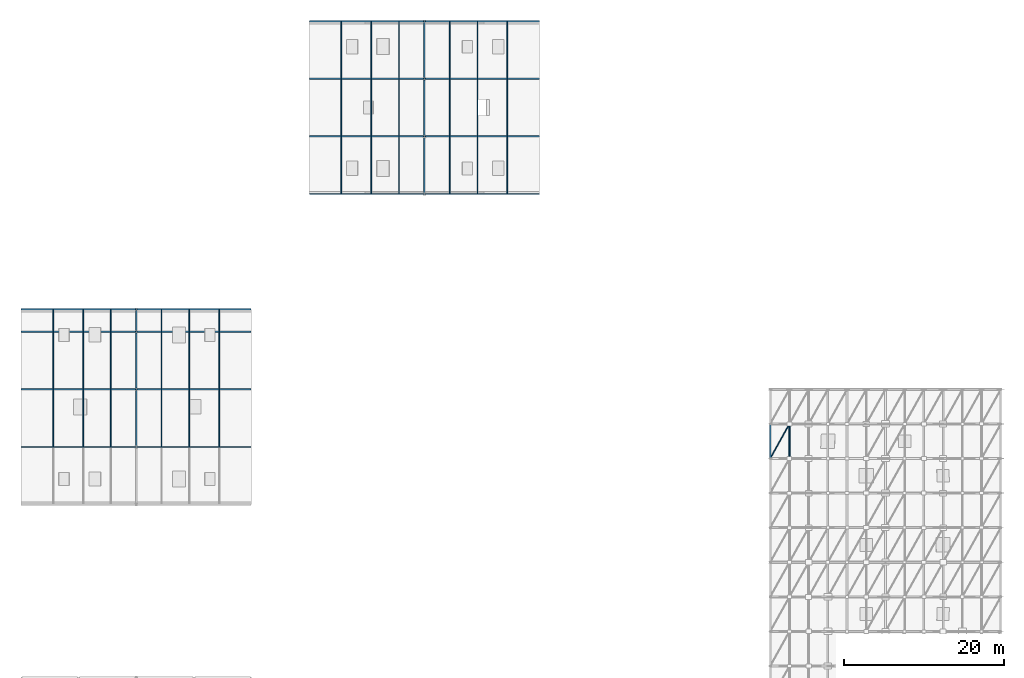
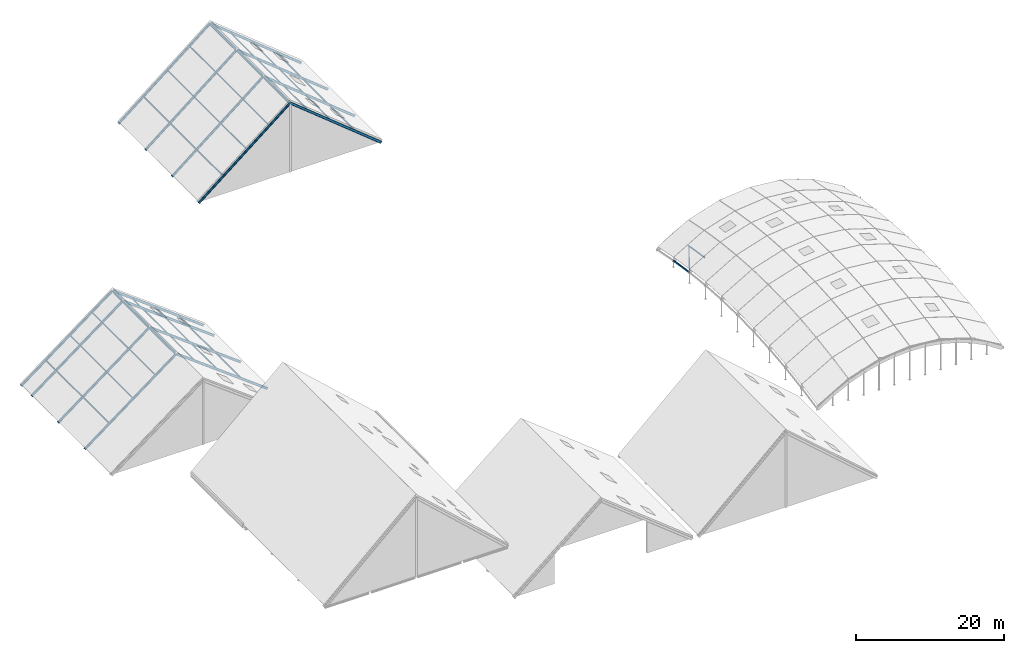
# One storey, part 17 of 35: 39 members, 22 beams.
"""IFC4 building model written with IfcOpenShell, lengths in metres."""

from ifc_helpers import new_model, si_unit, direction, frame, origin, origin_2d, place, context, subcontext, project, spatial, hollow_rectangle, hollow_circle, i_section, extrude, material, material_profile, profile_set, type_object, element, save


model = new_model("IFC4")

# Units and contexts
model_context = context("Model", 3, precision=1e-05, world=origin(), true_north=direction((0.0, 1.0)))
body_context = subcontext(model_context, "Body", "Model", "MODEL_VIEW")
ifc_project = project(units=[si_unit("LENGTHUNIT", "METRE"), si_unit("AREAUNIT", "SQUARE_METRE"), si_unit("VOLUMEUNIT", "CUBIC_METRE"), si_unit("PLANEANGLEUNIT", "RADIAN"), si_unit("MASSUNIT", "GRAM", prefix="KILO")], contexts=[model_context])

# Site, building, storey
site_placement = place(None, origin())
site = spatial("IfcSite", under=ifc_project, at=site_placement, CompositionType="ELEMENT")
building_placement = place(site_placement, origin())
building = spatial("IfcBuilding", under=site, at=building_placement, Name="Zarrinpeak Specialist Clinic", CompositionType="ELEMENT")
storey_placement = place(building_placement, frame((0.0, 0.0, 31.60009765625)))
storey = spatial("IfcBuildingStorey", under=building, at=storey_placement, Name="RF", CompositionType="ELEMENT", Elevation=31.60009765625)

# Beams
ifc_material = material(Name="Steel S355", Category="steel")
ifc_material_profile_1 = material_profile(ifc_material, i_section(OverallWidth=0.169921875, OverallDepth=0.360107421875, WebThickness=0.008056640625, FlangeThickness=0.0126953125, FilletRadius=0.01806640625, at=origin_2d()), Name="IPE 360")
ifc_profile_set_1 = profile_set([ifc_material_profile_1], Name="Steel S355")
beam_type_1 = type_object("IfcBeamType", Name="BM-JST360", PredefinedType="JOIST", material=ifc_profile_set_1)
for number, where, z_axis, x_axis, name in (
    (1, (0.139892578125, 64.800048828125, -13.35009765625), (0.799058352684, 0.0, 0.601253481492), (0.0, 1.0, 0.0), "V5 Pitched Gable Rafter W Y=64.8"),
    (2, (28.659912109375, 64.800048828125, -13.35009765625), (-0.799058352684, 0.0, 0.601253481492), (0.0, -1.0, 0.0), "V5 Pitched Gable Rafter E Y=64.8"),
    (3, (0.139892578125, 72.0, -13.35009765625), (0.799058352684, 0.0, 0.601253481492), (0.0, 1.0, 0.0), "V5 Pitched Gable Rafter W Y=72.0"),
    (4, (28.659912109375, 72.0, -13.35009765625), (-0.799058352684, 0.0, 0.601253481492), (0.0, -1.0, 0.0), "V5 Pitched Gable Rafter E Y=72.0"),
    (5, (0.139892578125, 79.199951171875, -13.35009765625), (0.799058352684, 0.0, 0.601253481492), (0.0, 1.0, 0.0), "V5 Pitched Gable Rafter W Y=79.2"),
    (6, (28.659912109375, 79.199951171875, -13.35009765625), (-0.799058352684, 0.0, 0.601253481492), (0.0, -1.0, 0.0), "V5 Pitched Gable Rafter E Y=79.2"),
    (7, (0.139892578125, 82.0, -13.35009765625), (0.799058352684, 0.0, 0.601253481492), (0.0, 1.0, 0.0), "V5 Pitched Gable Rafter W Y=82.0"),
    (8, (28.659912109375, 82.0, -13.35009765625), (-0.799058352684, 0.0, 0.601253481492), (0.0, -1.0, 0.0), "V5 Pitched Gable Rafter E Y=82.0"),
):
    element("IfcBeam", number, at=place(storey_placement, frame(where, z_axis=z_axis, x_axis=x_axis)), inside=storey, type_object=beam_type_1, Name=name, PredefinedType="JOIST", context=body_context, shape_type="SweptSolid", body=[
        extrude(i_section(OverallWidth=0.169921875, OverallDepth=0.360107421875, WebThickness=0.008056640625, FlangeThickness=0.0126953125, FilletRadius=0.01806640625, at=origin_2d()), origin(), (0.0, 0.0, 1.0), 17.845947265625),
    ])
for number, where, z_axis, x_axis, name in (
    (9, (36.139892578125, 96.39990234375, -4.550048828125), (0.77761243845, 0.0, 0.628743903006), (0.0, 1.0, 0.0), "V6 Pitched Gable Rafter W Y=96.4"),
    (10, (64.659912109375, 96.39990234375, -4.550048828125), (-0.77761243845, 0.0, 0.628743903006), (0.0, -1.0, 0.0), "V6 Pitched Gable Rafter E Y=96.4"),
    (11, (36.139892578125, 103.60009765625, -4.550048828125), (0.77761243845, 0.0, 0.628743903006), (0.0, 1.0, 0.0), "V6 Pitched Gable Rafter W Y=103.6"),
    (12, (64.659912109375, 103.60009765625, -4.550048828125), (-0.77761243845, 0.0, 0.628743903006), (0.0, -1.0, 0.0), "V6 Pitched Gable Rafter E Y=103.6"),
    (13, (36.139892578125, 110.800048828125, -4.550048828125), (0.77761243845, 0.0, 0.628743903006), (0.0, 1.0, 0.0), "V6 Pitched Gable Rafter W Y=110.8"),
    (14, (64.659912109375, 110.800048828125, -4.550048828125), (-0.77761243845, 0.0, 0.628743903006), (0.0, -1.0, 0.0), "V6 Pitched Gable Rafter E Y=110.8"),
    (15, (36.139892578125, 118.0, -4.550048828125), (0.77761243845, 0.0, 0.628743903006), (0.0, 1.0, 0.0), "V6 Pitched Gable Rafter W Y=118.0"),
    (16, (64.659912109375, 118.0, -4.550048828125), (-0.77761243845, 0.0, 0.628743903006), (0.0, -1.0, 0.0), "V6 Pitched Gable Rafter E Y=118.0"),
):
    element("IfcBeam", number, at=place(storey_placement, frame(where, z_axis=z_axis, x_axis=x_axis)), inside=storey, type_object=beam_type_1, Name=name, PredefinedType="JOIST", context=body_context, shape_type="SweptSolid", body=[
        extrude(i_section(OverallWidth=0.169921875, OverallDepth=0.360107421875, WebThickness=0.008056640625, FlangeThickness=0.0126953125, FilletRadius=0.01806640625, at=origin_2d()), origin(), (0.0, 0.0, 1.0), 18.338134765625),
    ])
ifc_material_profile_2 = material_profile(ifc_material, i_section(OverallWidth=0.18994140625, OverallDepth=0.449951171875, WebThickness=0.009521484375, FlangeThickness=0.0146484375, FilletRadius=0.02099609375, at=origin_2d()), Name="IPE 450")
ifc_profile_set_2 = profile_set([ifc_material_profile_2], Name="Steel S355")
beam_type_2 = type_object("IfcBeamType", Name="BM-RIDGE450", PredefinedType="BEAM", material=ifc_profile_set_2)
for number, where, z_axis, x_axis, name in (
    (17, (14.39990234375, 64.93994140625, -2.650146484375), (0.0, 1.0, 0.0), (-1.0, 0.0, 0.0), "V5 Gable Ridge Beam BM-RF-V5-RIDGE-2448"),
    (18, (14.39990234375, 72.139892578125, -2.650146484375), (0.0, 1.0, 0.0), (-1.0, 0.0, 0.0), "V5 Gable Ridge Beam BM-RF-V5-RIDGE-2449"),
):
    element("IfcBeam", number, at=place(storey_placement, frame(where, z_axis=z_axis, x_axis=x_axis)), inside=storey, type_object=beam_type_2, Name=name, PredefinedType="BEAM", context=body_context, shape_type="SweptSolid", body=[
        extrude(i_section(OverallWidth=0.18994140625, OverallDepth=0.449951171875, WebThickness=0.009521484375, FlangeThickness=0.0146484375, FilletRadius=0.02099609375, at=origin_2d()), origin(), (0.0, 0.0, 1.0), 6.920166015625),
    ])
beam_1_placement = place(storey_placement, frame((14.39990234375, 79.340087890625, -2.650146484375), z_axis=(0.0, 1.0, 0.0), x_axis=(-1.0, 0.0, 0.0)))
element("IfcBeam", 19, at=beam_1_placement, inside=storey, type_object=beam_type_2, Name="V5 Gable Ridge Beam BM-RF-V5-RIDGE-2450", PredefinedType="BEAM", context=body_context, shape_type="SweptSolid", body=[
    extrude(i_section(OverallWidth=0.18994140625, OverallDepth=0.449951171875, WebThickness=0.009521484375, FlangeThickness=0.0146484375, FilletRadius=0.02099609375, at=origin_2d()), origin(), (0.0, 0.0, 1.0), 2.52001953125),
])
for number, where, z_axis, x_axis, name in (
    (20, (50.39990234375, 96.5400390625, 6.949951171875), (0.0, 1.0, 0.0), (-1.0, 0.0, 0.0), "V6 Gable Ridge Beam BM-RF-V6-RIDGE-2503"),
    (21, (50.39990234375, 103.739990234375, 6.949951171875), (0.0, 1.0, 0.0), (-1.0, 0.0, 0.0), "V6 Gable Ridge Beam BM-RF-V6-RIDGE-2504"),
):
    element("IfcBeam", number, at=place(storey_placement, frame(where, z_axis=z_axis, x_axis=x_axis)), inside=storey, type_object=beam_type_2, Name=name, PredefinedType="BEAM", context=body_context, shape_type="SweptSolid", body=[
        extrude(i_section(OverallWidth=0.18994140625, OverallDepth=0.449951171875, WebThickness=0.009521484375, FlangeThickness=0.0146484375, FilletRadius=0.02099609375, at=origin_2d()), origin(), (0.0, 0.0, 1.0), 6.919921875),
    ])
beam_2_placement = place(storey_placement, frame((50.39990234375, 110.93994140625, 6.949951171875), z_axis=(0.0, 1.0, 0.0), x_axis=(-1.0, 0.0, 0.0)))
element("IfcBeam", 22, at=beam_2_placement, inside=storey, type_object=beam_type_2, Name="V6 Gable Ridge Beam BM-RF-V6-RIDGE-2505", PredefinedType="BEAM", context=body_context, shape_type="SweptSolid", body=[
    extrude(i_section(OverallWidth=0.18994140625, OverallDepth=0.449951171875, WebThickness=0.009521484375, FlangeThickness=0.0146484375, FilletRadius=0.02099609375, at=origin_2d()), origin(), (0.0, 0.0, 1.0), 6.920166015625),
])

# Members
ifc_material_profile_3 = material_profile(ifc_material, hollow_circle(Radius=0.084228515625, WallThickness=0.008056640625, at=origin_2d()), Name="CHS 168.3x8.0")
ifc_profile_set_3 = profile_set([ifc_material_profile_3], Name="Steel S355")
member_type_1 = type_object("IfcMemberType", Name="MB-BR168", PredefinedType="BRACE", material=ifc_profile_set_3)
member_1_placement = place(storey_placement, frame((93.60009765625, 63.360107421875, -16.064208984375), z_axis=(0.477567711568, 0.859621880823, 0.181602045355), x_axis=(-0.874157276122, 0.485642931179, 0.0)))
element("IfcMember", 23, at=member_1_placement, inside=storey, type_object=member_type_1, Name="V3 Gridshell Diagonal Brace GS-DIAG-009", PredefinedType="BRACE", context=body_context, shape_type="SweptSolid", body=[
    extrude(hollow_circle(Radius=0.084228515625, WallThickness=0.008056640625, at=origin_2d()), origin(), (0.0, 0.0, 1.0), 5.025146484375),
])
ifc_material_profile_4 = material_profile(ifc_material, hollow_circle(Radius=0.109619140625, WallThickness=0.010009765625, at=origin_2d()), Name="CHS 219.1x10.0")
ifc_profile_set_4 = profile_set([ifc_material_profile_4], Name="Steel S355")
member_type_2 = type_object("IfcMemberType", Name="MB-GS-CH219", PredefinedType="USERDEFINED", material=ifc_profile_set_4)
member_2_placement = place(storey_placement, frame((96.0, 63.360107421875, -14.4794921875), z_axis=(0.0, 0.988111379408, -0.153739721234), x_axis=(-1.0, 0.0, 0.0)))
element("IfcMember", 24, at=member_2_placement, inside=storey, type_object=member_type_2, Name="V3 Translational Gridshell Vault Steel Chord I01-J08", ObjectType="ARCH_SEGMENT", PredefinedType="USERDEFINED", context=body_context, shape_type="SweptSolid", body=[
    extrude(hollow_circle(Radius=0.109619140625, WallThickness=0.010009765625, at=origin_2d()), origin(), (0.0, 0.0, 1.0), 4.371826171875),
])
ifc_material_profile_5 = material_profile(ifc_material, hollow_rectangle(XDim=0.14990234375, YDim=0.25, WallThickness=0.010009765625, at=origin_2d()), Name="RHS 250x150x10.0")
ifc_profile_set_5 = profile_set([ifc_material_profile_5], Name="Steel S355")
member_type_3 = type_object("IfcMemberType", Name="MB-GS-RH250", PredefinedType="USERDEFINED", material=ifc_profile_set_5)
member_3_placement = place(storey_placement, frame((93.60009765625, 63.360107421875, -16.064208984375), z_axis=(0.0, 0.988119861414, -0.153685196033), x_axis=(-1.0, 0.0, 0.0)))
element("IfcMember", 25, at=member_3_placement, inside=storey, type_object=member_type_3, Name="V3 Translational Gridshell Vault Steel Chord I00-J08", ObjectType="ARCH_SEGMENT", PredefinedType="USERDEFINED", context=body_context, shape_type="SweptSolid", body=[
    extrude(hollow_rectangle(XDim=0.14990234375, YDim=0.25, WallThickness=0.010009765625, at=origin_2d()), origin(), (0.0, 0.0, 1.0), 4.371826171875),
])
ifc_material_profile_6 = material_profile(ifc_material, i_section(OverallWidth=0.10009765625, OverallDepth=0.199951171875, WebThickness=0.005615234375, FlangeThickness=0.008544921875, FilletRadius=0.011962890625, at=origin_2d()), Name="IPE 200")
ifc_profile_set_6 = profile_set([ifc_material_profile_6], Name="Steel S355")
member_type_4 = type_object("IfcMemberType", Name="MB-PRL200", PredefinedType="PURLIN", material=ifc_profile_set_6)
for number, where, z_axis, x_axis, name in (
    (26, (7.77587890625, 64.8798828125, -7.7080078125), (0.0, 1.0, 0.0), (-1.0, 0.0, 0.0), "V5 Roof Purlin PRL-RF-V5-W-2466"),
    (27, (7.77587890625, 72.080078125, -7.7080078125), (0.0, 1.0, 0.0), (-1.0, 0.0, 0.0), "V5 Roof Purlin PRL-RF-V5-W-2467"),
):
    element("IfcMember", number, at=place(storey_placement, frame(where, z_axis=z_axis, x_axis=x_axis)), inside=storey, type_object=member_type_4, Name=name, PredefinedType="PURLIN", context=body_context, shape_type="SweptSolid", body=[
        extrude(i_section(OverallWidth=0.10009765625, OverallDepth=0.199951171875, WebThickness=0.005615234375, FlangeThickness=0.008544921875, FilletRadius=0.011962890625, at=origin_2d()), origin(), (0.0, 0.0, 1.0), 7.0400390625),
    ])
member_4_placement = place(storey_placement, frame((7.77587890625, 79.280029296875, -7.7080078125), z_axis=(0.0, 1.0, 0.0), x_axis=(-1.0, 0.0, 0.0)))
element("IfcMember", 28, at=member_4_placement, inside=storey, type_object=member_type_4, Name="V5 Roof Purlin PRL-RF-V5-W-2468", PredefinedType="PURLIN", context=body_context, shape_type="SweptSolid", body=[
    extrude(i_section(OverallWidth=0.10009765625, OverallDepth=0.199951171875, WebThickness=0.005615234375, FlangeThickness=0.008544921875, FilletRadius=0.011962890625, at=origin_2d()), origin(), (0.0, 0.0, 1.0), 2.639892578125),
])
for number, where, z_axis, x_axis, name in (
    (29, (11.23193359375, 64.8798828125, -5.1162109375), (0.0, 1.0, 0.0), (-1.0, 0.0, 0.0), "V5 Roof Purlin PRL-RF-V5-W-2470"),
    (30, (11.23193359375, 72.080078125, -5.1162109375), (0.0, 1.0, 0.0), (-1.0, 0.0, 0.0), "V5 Roof Purlin PRL-RF-V5-W-2471"),
):
    element("IfcMember", number, at=place(storey_placement, frame(where, z_axis=z_axis, x_axis=x_axis)), inside=storey, type_object=member_type_4, Name=name, PredefinedType="PURLIN", context=body_context, shape_type="SweptSolid", body=[
        extrude(i_section(OverallWidth=0.10009765625, OverallDepth=0.199951171875, WebThickness=0.005615234375, FlangeThickness=0.008544921875, FilletRadius=0.011962890625, at=origin_2d()), origin(), (0.0, 0.0, 1.0), 7.0400390625),
    ])
member_5_placement = place(storey_placement, frame((11.23193359375, 79.280029296875, -5.1162109375), z_axis=(0.0, 1.0, 0.0), x_axis=(-1.0, 0.0, 0.0)))
element("IfcMember", 31, at=member_5_placement, inside=storey, type_object=member_type_4, Name="V5 Roof Purlin PRL-RF-V5-W-2472", PredefinedType="PURLIN", context=body_context, shape_type="SweptSolid", body=[
    extrude(i_section(OverallWidth=0.10009765625, OverallDepth=0.199951171875, WebThickness=0.005615234375, FlangeThickness=0.008544921875, FilletRadius=0.011962890625, at=origin_2d()), origin(), (0.0, 0.0, 1.0), 2.639892578125),
])
for number, where, z_axis, x_axis, name in (
    (32, (21.02392578125, 64.8798828125, -7.7080078125), (0.0, 1.0, 0.0), (-1.0, 0.0, 0.0), "V5 Roof Purlin PRL-RF-V5-E-2478"),
    (33, (21.02392578125, 72.080078125, -7.7080078125), (0.0, 1.0, 0.0), (-1.0, 0.0, 0.0), "V5 Roof Purlin PRL-RF-V5-E-2479"),
):
    element("IfcMember", number, at=place(storey_placement, frame(where, z_axis=z_axis, x_axis=x_axis)), inside=storey, type_object=member_type_4, Name=name, PredefinedType="PURLIN", context=body_context, shape_type="SweptSolid", body=[
        extrude(i_section(OverallWidth=0.10009765625, OverallDepth=0.199951171875, WebThickness=0.005615234375, FlangeThickness=0.008544921875, FilletRadius=0.011962890625, at=origin_2d()), origin(), (0.0, 0.0, 1.0), 7.0400390625),
    ])
member_6_placement = place(storey_placement, frame((21.02392578125, 79.280029296875, -7.7080078125), z_axis=(0.0, 1.0, 0.0), x_axis=(-1.0, 0.0, 0.0)))
element("IfcMember", 34, at=member_6_placement, inside=storey, type_object=member_type_4, Name="V5 Roof Purlin PRL-RF-V5-E-2480", PredefinedType="PURLIN", context=body_context, shape_type="SweptSolid", body=[
    extrude(i_section(OverallWidth=0.10009765625, OverallDepth=0.199951171875, WebThickness=0.005615234375, FlangeThickness=0.008544921875, FilletRadius=0.011962890625, at=origin_2d()), origin(), (0.0, 0.0, 1.0), 2.639892578125),
])
for number, where, z_axis, x_axis, name in (
    (35, (17.568115234375, 64.8798828125, -5.1162109375), (0.0, 1.0, 0.0), (-1.0, 0.0, 0.0), "V5 Roof Purlin PRL-RF-V5-E-2482"),
    (36, (17.568115234375, 72.080078125, -5.1162109375), (0.0, 1.0, 0.0), (-1.0, 0.0, 0.0), "V5 Roof Purlin PRL-RF-V5-E-2483"),
):
    element("IfcMember", number, at=place(storey_placement, frame(where, z_axis=z_axis, x_axis=x_axis)), inside=storey, type_object=member_type_4, Name=name, PredefinedType="PURLIN", context=body_context, shape_type="SweptSolid", body=[
        extrude(i_section(OverallWidth=0.10009765625, OverallDepth=0.199951171875, WebThickness=0.005615234375, FlangeThickness=0.008544921875, FilletRadius=0.011962890625, at=origin_2d()), origin(), (0.0, 0.0, 1.0), 7.0400390625),
    ])
member_7_placement = place(storey_placement, frame((17.568115234375, 79.280029296875, -5.1162109375), z_axis=(0.0, 1.0, 0.0), x_axis=(-1.0, 0.0, 0.0)))
element("IfcMember", 37, at=member_7_placement, inside=storey, type_object=member_type_4, Name="V5 Roof Purlin PRL-RF-V5-E-2484", PredefinedType="PURLIN", context=body_context, shape_type="SweptSolid", body=[
    extrude(i_section(OverallWidth=0.10009765625, OverallDepth=0.199951171875, WebThickness=0.005615234375, FlangeThickness=0.008544921875, FilletRadius=0.011962890625, at=origin_2d()), origin(), (0.0, 0.0, 1.0), 2.639892578125),
])
for number, where, z_axis, x_axis, name in (
    (38, (43.77587890625, 96.47998046875, 1.52392578125), (0.0, 1.0, 0.0), (-1.0, 0.0, 0.0), "V6 Roof Purlin PRL-RF-V6-W-2517"),
    (39, (43.77587890625, 103.679931640625, 1.52392578125), (0.0, 1.0, 0.0), (-1.0, 0.0, 0.0), "V6 Roof Purlin PRL-RF-V6-W-2518"),
    (40, (43.77587890625, 110.8798828125, 1.52392578125), (0.0, 1.0, 0.0), (-1.0, 0.0, 0.0), "V6 Roof Purlin PRL-RF-V6-W-2519"),
    (41, (47.23193359375, 96.47998046875, 4.307861328125), (0.0, 1.0, 0.0), (-1.0, 0.0, 0.0), "V6 Roof Purlin PRL-RF-V6-W-2520"),
    (42, (47.23193359375, 103.679931640625, 4.307861328125), (0.0, 1.0, 0.0), (-1.0, 0.0, 0.0), "V6 Roof Purlin PRL-RF-V6-W-2521"),
    (43, (47.23193359375, 110.8798828125, 4.307861328125), (0.0, 1.0, 0.0), (-1.0, 0.0, 0.0), "V6 Roof Purlin PRL-RF-V6-W-2522"),
    (44, (57.02392578125, 96.47998046875, 1.52392578125), (0.0, 1.0, 0.0), (-1.0, 0.0, 0.0), "V6 Roof Purlin PRL-RF-V6-E-2526"),
    (45, (57.02392578125, 103.679931640625, 1.52392578125), (0.0, 1.0, 0.0), (-1.0, 0.0, 0.0), "V6 Roof Purlin PRL-RF-V6-E-2527"),
    (46, (57.02392578125, 110.8798828125, 1.52392578125), (0.0, 1.0, 0.0), (-1.0, 0.0, 0.0), "V6 Roof Purlin PRL-RF-V6-E-2528"),
    (47, (53.568115234375, 96.47998046875, 4.307861328125), (0.0, 1.0, 0.0), (-1.0, 0.0, 0.0), "V6 Roof Purlin PRL-RF-V6-E-2529"),
    (48, (53.568115234375, 103.679931640625, 4.307861328125), (0.0, 1.0, 0.0), (-1.0, 0.0, 0.0), "V6 Roof Purlin PRL-RF-V6-E-2530"),
    (49, (53.568115234375, 110.8798828125, 4.307861328125), (0.0, 1.0, 0.0), (-1.0, 0.0, 0.0), "V6 Roof Purlin PRL-RF-V6-E-2531"),
):
    element("IfcMember", number, at=place(storey_placement, frame(where, z_axis=z_axis, x_axis=x_axis)), inside=storey, type_object=member_type_4, Name=name, PredefinedType="PURLIN", context=body_context, shape_type="SweptSolid", body=[
        extrude(i_section(OverallWidth=0.10009765625, OverallDepth=0.199951171875, WebThickness=0.005615234375, FlangeThickness=0.008544921875, FilletRadius=0.011962890625, at=origin_2d()), origin(), (0.0, 0.0, 1.0), 7.0400390625),
    ])
ifc_material_profile_7 = material_profile(ifc_material, i_section(OverallWidth=0.1201171875, OverallDepth=0.239990234375, WebThickness=0.006103515625, FlangeThickness=0.009765625, FilletRadius=0.014892578125, at=origin_2d()), Name="IPE 240")
ifc_profile_set_7 = profile_set([ifc_material_profile_7], Name="Steel S355")
member_type_5 = type_object("IfcMemberType", Name="MB-PRL240", PredefinedType="PURLIN", material=ifc_profile_set_7)
for number, where, z_axis, x_axis, name in (
    (50, (4.031982421875, 64.8798828125, -10.51611328125), (0.0, 1.0, 0.0), (-1.0, 0.0, 0.0), "V5 Roof Purlin PRL-RF-V5-W-2462"),
    (51, (4.031982421875, 72.080078125, -10.51611328125), (0.0, 1.0, 0.0), (-1.0, 0.0, 0.0), "V5 Roof Purlin PRL-RF-V5-W-2463"),
):
    element("IfcMember", number, at=place(storey_placement, frame(where, z_axis=z_axis, x_axis=x_axis)), inside=storey, type_object=member_type_5, Name=name, PredefinedType="PURLIN", context=body_context, shape_type="SweptSolid", body=[
        extrude(i_section(OverallWidth=0.1201171875, OverallDepth=0.239990234375, WebThickness=0.006103515625, FlangeThickness=0.009765625, FilletRadius=0.014892578125, at=origin_2d()), origin(), (0.0, 0.0, 1.0), 7.0400390625),
    ])
member_8_placement = place(storey_placement, frame((4.031982421875, 79.280029296875, -10.51611328125), z_axis=(0.0, 1.0, 0.0), x_axis=(-1.0, 0.0, 0.0)))
element("IfcMember", 52, at=member_8_placement, inside=storey, type_object=member_type_5, Name="V5 Roof Purlin PRL-RF-V5-W-2464", PredefinedType="PURLIN", context=body_context, shape_type="SweptSolid", body=[
    extrude(i_section(OverallWidth=0.1201171875, OverallDepth=0.239990234375, WebThickness=0.006103515625, FlangeThickness=0.009765625, FilletRadius=0.014892578125, at=origin_2d()), origin(), (0.0, 0.0, 1.0), 2.639892578125),
])
for number, where, z_axis, x_axis, name in (
    (53, (24.76806640625, 64.8798828125, -10.51611328125), (0.0, 1.0, 0.0), (-1.0, 0.0, 0.0), "V5 Roof Purlin PRL-RF-V5-E-2474"),
    (54, (24.76806640625, 72.080078125, -10.51611328125), (0.0, 1.0, 0.0), (-1.0, 0.0, 0.0), "V5 Roof Purlin PRL-RF-V5-E-2475"),
):
    element("IfcMember", number, at=place(storey_placement, frame(where, z_axis=z_axis, x_axis=x_axis)), inside=storey, type_object=member_type_5, Name=name, PredefinedType="PURLIN", context=body_context, shape_type="SweptSolid", body=[
        extrude(i_section(OverallWidth=0.1201171875, OverallDepth=0.239990234375, WebThickness=0.006103515625, FlangeThickness=0.009765625, FilletRadius=0.014892578125, at=origin_2d()), origin(), (0.0, 0.0, 1.0), 7.0400390625),
    ])
member_9_placement = place(storey_placement, frame((24.76806640625, 79.280029296875, -10.51611328125), z_axis=(0.0, 1.0, 0.0), x_axis=(-1.0, 0.0, 0.0)))
element("IfcMember", 55, at=member_9_placement, inside=storey, type_object=member_type_5, Name="V5 Roof Purlin PRL-RF-V5-E-2476", PredefinedType="PURLIN", context=body_context, shape_type="SweptSolid", body=[
    extrude(i_section(OverallWidth=0.1201171875, OverallDepth=0.239990234375, WebThickness=0.006103515625, FlangeThickness=0.009765625, FilletRadius=0.014892578125, at=origin_2d()), origin(), (0.0, 0.0, 1.0), 2.639892578125),
])
for number, where, z_axis, x_axis, name in (
    (56, (40.031982421875, 96.47998046875, -1.4921875), (0.0, 1.0, 0.0), (-1.0, 0.0, 0.0), "V6 Roof Purlin PRL-RF-V6-W-2514"),
    (57, (40.031982421875, 103.679931640625, -1.4921875), (0.0, 1.0, 0.0), (-1.0, 0.0, 0.0), "V6 Roof Purlin PRL-RF-V6-W-2515"),
    (58, (40.031982421875, 110.8798828125, -1.4921875), (0.0, 1.0, 0.0), (-1.0, 0.0, 0.0), "V6 Roof Purlin PRL-RF-V6-W-2516"),
    (59, (60.76806640625, 96.47998046875, -1.4921875), (0.0, 1.0, 0.0), (-1.0, 0.0, 0.0), "V6 Roof Purlin PRL-RF-V6-E-2523"),
    (60, (60.76806640625, 103.679931640625, -1.4921875), (0.0, 1.0, 0.0), (-1.0, 0.0, 0.0), "V6 Roof Purlin PRL-RF-V6-E-2524"),
    (61, (60.76806640625, 110.8798828125, -1.4921875), (0.0, 1.0, 0.0), (-1.0, 0.0, 0.0), "V6 Roof Purlin PRL-RF-V6-E-2525"),
):
    element("IfcMember", number, at=place(storey_placement, frame(where, z_axis=z_axis, x_axis=x_axis)), inside=storey, type_object=member_type_5, Name=name, PredefinedType="PURLIN", context=body_context, shape_type="SweptSolid", body=[
        extrude(i_section(OverallWidth=0.1201171875, OverallDepth=0.239990234375, WebThickness=0.006103515625, FlangeThickness=0.009765625, FilletRadius=0.014892578125, at=origin_2d()), origin(), (0.0, 0.0, 1.0), 7.0400390625),
    ])

save(model, "model.ifc")
